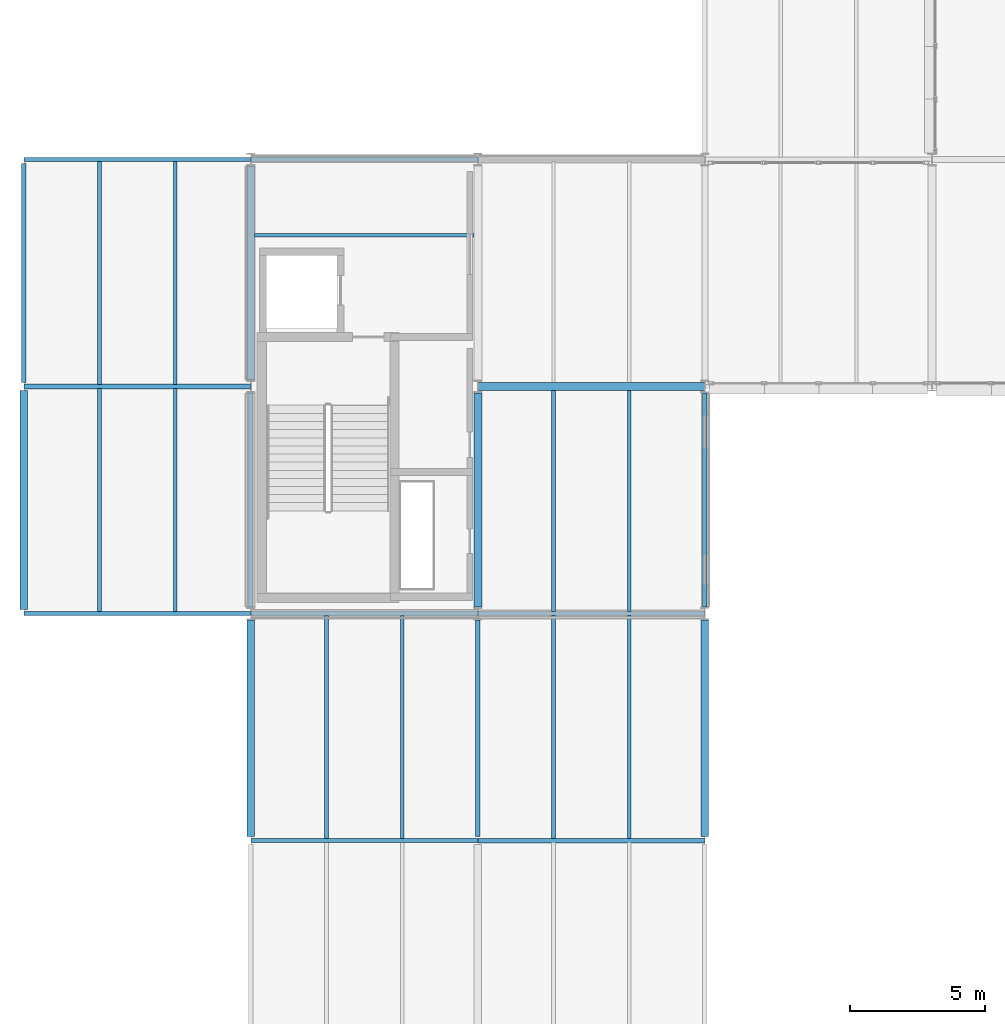
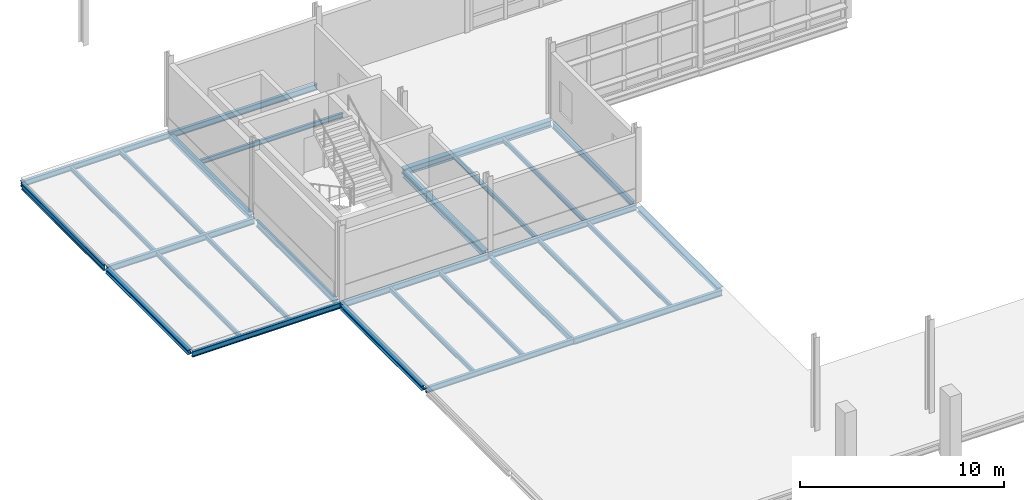
# One storey, part 36 of 129: 29 beams.
"""IFC4 building model written with IfcOpenShell, lengths in metres."""

from ifc_helpers import new_model, si_unit, direction, frame, origin, origin_2d, place, context, subcontext, project, spatial, i_section, extrude, material, material_profile, profile_set, type_object, element, save


model = new_model("IFC4")

# Units and contexts
model_context = context("Model", 3, precision=1e-05, world=origin(), true_north=direction((0.0, 1.0)))
body_context = subcontext(model_context, "Body", "Model", "MODEL_VIEW")
ifc_project = project(units=[si_unit("LENGTHUNIT", "METRE"), si_unit("AREAUNIT", "SQUARE_METRE"), si_unit("VOLUMEUNIT", "CUBIC_METRE"), si_unit("PLANEANGLEUNIT", "RADIAN"), si_unit("MASSUNIT", "GRAM", prefix="KILO")], contexts=[model_context])

# Site, building, storey
site_placement = place(None, origin())
site = spatial("IfcSite", under=ifc_project, at=site_placement, CompositionType="ELEMENT")
building_placement = place(site_placement, origin())
building = spatial("IfcBuilding", under=site, at=building_placement, Name="Mersafa Astral City Hall", CompositionType="ELEMENT")
storey_placement = place(building_placement, frame((0.0, 0.0, 5.39990234375)))
storey = spatial("IfcBuildingStorey", under=building, at=storey_placement, Name="L01", CompositionType="ELEMENT", Elevation=5.39990234375)

# Beams
ifc_material = material(Name="Steel S355", Category="steel")
ifc_material_profile_1 = material_profile(ifc_material, i_section(OverallWidth=0.300048828125, OverallDepth=0.35009765625, WebThickness=0.010009765625, FlangeThickness=0.017578125, FilletRadius=0.027099609375, at=origin_2d()), Name="HEA 360")
ifc_profile_set_1 = profile_set([ifc_material_profile_1], Name="Steel S355")
beam_type_1 = type_object("IfcBeamType", Name="STR-BM-HEA360", PredefinedType="BEAM", material=ifc_profile_set_1)
beam_1_placement = place(storey_placement, frame((16.800048828125, 75.844970703125, -0.39990234375), z_axis=(0.0, 1.0, 0.0), x_axis=(-1.0, 0.0, 0.0)))
element("IfcBeam", 1, at=beam_1_placement, inside=storey, type_object=beam_type_1, Name="L01 Primary girder Y 2-9", PredefinedType="BEAM", context=body_context, shape_type="SweptSolid", body=[
    extrude(i_section(OverallWidth=0.300048828125, OverallDepth=0.35009765625, WebThickness=0.010009765625, FlangeThickness=0.017578125, FilletRadius=0.027099609375, at=origin_2d()), origin(), (0.0, 0.0, 1.0), 7.909912109375),
])
ifc_material_profile_2 = material_profile(ifc_material, i_section(OverallWidth=0.300048828125, OverallDepth=0.389892578125, WebThickness=0.010986328125, FlangeThickness=0.01904296875, FilletRadius=0.027099609375, at=origin_2d()), Name="HEA 400")
ifc_profile_set_2 = profile_set([ifc_material_profile_2], Name="Steel S355")
beam_type_2 = type_object("IfcBeamType", Name="STR-BM-HEA400", PredefinedType="BEAM", material=ifc_profile_set_2)
beam_2_placement = place(storey_placement, frame((16.802978515625, 84.0, -0.419921875), z_axis=(1.0, 0.0, 0.0), x_axis=(0.0, 1.0, 0.0)))
element("IfcBeam", 2, at=beam_2_placement, inside=storey, type_object=beam_type_2, Name="L01 Primary girder X 2-10", PredefinedType="BEAM", context=body_context, shape_type="SweptSolid", body=[
    extrude(i_section(OverallWidth=0.300048828125, OverallDepth=0.389892578125, WebThickness=0.010986328125, FlangeThickness=0.01904296875, FilletRadius=0.027099609375, at=origin_2d()), origin(), (0.0, 0.0, 1.0), 8.39404296875),
])
ifc_material_profile_3 = material_profile(ifc_material, i_section(OverallWidth=0.135009765625, OverallDepth=0.27001953125, WebThickness=0.006591796875, FlangeThickness=0.01025390625, FilletRadius=0.014892578125, at=origin_2d()), Name="IPE 270")
ifc_profile_set_3 = profile_set([ifc_material_profile_3], Name="Steel S355")
beam_type_3 = type_object("IfcBeamType", Name="STR-BM-JOIST-IPE270", PredefinedType="JOIST", material=ifc_profile_set_3)
beam_3_placement = place(storey_placement, frame((8.534912109375, 89.60009765625, -0.35986328125), z_axis=(1.0, 0.0, 0.0), x_axis=(0.0, 1.0, 0.0)))
element("IfcBeam", 3, at=beam_3_placement, inside=storey, type_object=beam_type_3, Name="L01 Composite secondary floor joist 225", PredefinedType="JOIST", context=body_context, shape_type="SweptSolid", body=[
    extrude(i_section(OverallWidth=0.135009765625, OverallDepth=0.27001953125, WebThickness=0.006591796875, FlangeThickness=0.01025390625, FilletRadius=0.014892578125, at=origin_2d()), origin(), (0.0, 0.0, 1.0), 8.1201171875),
])
for number, where, z_axis, x_axis, name in (
    (4, (19.60009765625, 75.675048828125, -0.35986328125), (0.0, 1.0, 0.0), (-1.0, 0.0, 0.0), "L01 Composite secondary floor joist 226"),
    (5, (22.39990234375, 75.675048828125, -0.35986328125), (0.0, 1.0, 0.0), (-1.0, 0.0, 0.0), "L01 Composite secondary floor joist 227"),
):
    element("IfcBeam", number, at=place(storey_placement, frame(where, z_axis=z_axis, x_axis=x_axis)), inside=storey, type_object=beam_type_3, Name=name, PredefinedType="JOIST", context=body_context, shape_type="SweptSolid", body=[
        extrude(i_section(OverallWidth=0.135009765625, OverallDepth=0.27001953125, WebThickness=0.006591796875, FlangeThickness=0.01025390625, FilletRadius=0.014892578125, at=origin_2d()), origin(), (0.0, 0.0, 1.0), 8.179931640625),
    ])
for number, where, z_axis, x_axis, name in (
    (6, (2.800048828125, 75.675048828125, -0.35986328125), (0.0, 1.0, 0.0), (-1.0, 0.0, 0.0), "L01 Flat roof secondary joist 1"),
    (7, (5.60009765625, 75.675048828125, -0.35986328125), (0.0, 1.0, 0.0), (-1.0, 0.0, 0.0), "L01 Flat roof secondary joist 2"),
    (8, (2.800048828125, 84.080078125, -0.35986328125), (0.0, 1.0, 0.0), (-1.0, 0.0, 0.0), "L01 Flat roof secondary joist 3"),
    (9, (5.60009765625, 84.080078125, -0.35986328125), (0.0, 1.0, 0.0), (-1.0, 0.0, 0.0), "L01 Flat roof secondary joist 4"),
):
    element("IfcBeam", number, at=place(storey_placement, frame(where, z_axis=z_axis, x_axis=x_axis)), inside=storey, type_object=beam_type_3, Name=name, PredefinedType="JOIST", context=body_context, shape_type="SweptSolid", body=[
        extrude(i_section(OverallWidth=0.135009765625, OverallDepth=0.27001953125, WebThickness=0.006591796875, FlangeThickness=0.01025390625, FilletRadius=0.014892578125, at=origin_2d()), origin(), (0.0, 0.0, 1.0), 8.244873046875),
    ])
for number, where, z_axis, x_axis, name in (
    (10, (11.199951171875, 67.27490234375, -0.35986328125), (0.0, 1.0, 0.0), (-1.0, 0.0, 0.0), "L01 Flat roof secondary joist 9"),
    (11, (14.0, 67.27490234375, -0.35986328125), (0.0, 1.0, 0.0), (-1.0, 0.0, 0.0), "L01 Flat roof secondary joist 10"),
):
    element("IfcBeam", number, at=place(storey_placement, frame(where, z_axis=z_axis, x_axis=x_axis)), inside=storey, type_object=beam_type_3, Name=name, PredefinedType="JOIST", context=body_context, shape_type="SweptSolid", body=[
        extrude(i_section(OverallWidth=0.135009765625, OverallDepth=0.27001953125, WebThickness=0.006591796875, FlangeThickness=0.01025390625, FilletRadius=0.014892578125, at=origin_2d()), origin(), (0.0, 0.0, 1.0), 8.2451171875),
    ])
for number, where, z_axis, x_axis, name in (
    (12, (19.60009765625, 67.280029296875, -0.35986328125), (0.0, 1.0, 0.0), (-1.0, 0.0, 0.0), "L01 Flat roof secondary joist 15"),
    (13, (22.39990234375, 67.280029296875, -0.35986328125), (0.0, 1.0, 0.0), (-1.0, 0.0, 0.0), "L01 Flat roof secondary joist 16"),
):
    element("IfcBeam", number, at=place(storey_placement, frame(where, z_axis=z_axis, x_axis=x_axis)), inside=storey, type_object=beam_type_3, Name=name, PredefinedType="JOIST", context=body_context, shape_type="SweptSolid", body=[
        extrude(i_section(OverallWidth=0.135009765625, OverallDepth=0.27001953125, WebThickness=0.006591796875, FlangeThickness=0.01025390625, FilletRadius=0.014892578125, at=origin_2d()), origin(), (0.0, 0.0, 1.0), 8.244873046875),
    ])
ifc_material_profile_4 = material_profile(ifc_material, i_section(OverallWidth=0.280029296875, OverallDepth=0.27001953125, WebThickness=0.008056640625, FlangeThickness=0.012939453125, FilletRadius=0.02392578125, at=origin_2d()), Name="HEA 280")
ifc_profile_set_4 = profile_set([ifc_material_profile_4], Name="Steel S355")
beam_type_4 = type_object("IfcBeamType", Name="STR-BM-SPANDREL-HEA280", PredefinedType="SPANDREL", material=ifc_profile_set_4)
beam_4_placement = place(storey_placement, frame((0.0, 75.7451171875, -0.35986328125), z_axis=(0.0, 1.0, 0.0), x_axis=(-1.0, 0.0, 0.0)))
element("IfcBeam", 14, at=beam_4_placement, inside=storey, type_object=beam_type_4, Name="L01 Primary girder Y 0-9", PredefinedType="SPANDREL", context=body_context, shape_type="SweptSolid", body=[
    extrude(i_section(OverallWidth=0.280029296875, OverallDepth=0.27001953125, WebThickness=0.008056640625, FlangeThickness=0.012939453125, FilletRadius=0.02392578125, at=origin_2d()), origin(), (0.0, 0.0, 1.0), 8.10986328125),
])
beam_5_placement = place(storey_placement, frame((8.39990234375, 67.344970703125, -0.35986328125), z_axis=(0.0, 1.0, 0.0), x_axis=(-1.0, 0.0, 0.0)))
element("IfcBeam", 15, at=beam_5_placement, inside=storey, type_object=beam_type_4, Name="L01 Primary girder Y 1-8", PredefinedType="SPANDREL", context=body_context, shape_type="SweptSolid", body=[
    extrude(i_section(OverallWidth=0.280029296875, OverallDepth=0.27001953125, WebThickness=0.008056640625, FlangeThickness=0.012939453125, FilletRadius=0.02392578125, at=origin_2d()), origin(), (0.0, 0.0, 1.0), 8.010009765625),
])
beam_6_placement = place(storey_placement, frame((8.39990234375, 84.2451171875, -0.35986328125), z_axis=(0.0, 1.0, 0.0), x_axis=(-1.0, 0.0, 0.0)))
element("IfcBeam", 16, at=beam_6_placement, inside=storey, type_object=beam_type_4, Name="L01 Primary girder Y 1-10", PredefinedType="SPANDREL", context=body_context, shape_type="SweptSolid", body=[
    extrude(i_section(OverallWidth=0.280029296875, OverallDepth=0.27001953125, WebThickness=0.008056640625, FlangeThickness=0.012939453125, FilletRadius=0.02392578125, at=origin_2d()), origin(), (0.0, 0.0, 1.0), 7.909912109375),
])
beam_7_placement = place(storey_placement, frame((25.199951171875, 67.344970703125, -0.35986328125), z_axis=(0.0, 1.0, 0.0), x_axis=(-1.0, 0.0, 0.0)))
element("IfcBeam", 17, at=beam_7_placement, inside=storey, type_object=beam_type_4, Name="L01 Primary girder Y 3-8", PredefinedType="SPANDREL", context=body_context, shape_type="SweptSolid", body=[
    extrude(i_section(OverallWidth=0.280029296875, OverallDepth=0.27001953125, WebThickness=0.008056640625, FlangeThickness=0.012939453125, FilletRadius=0.02392578125, at=origin_2d()), origin(), (0.0, 0.0, 1.0), 8.010009765625),
])
ifc_material_profile_5 = material_profile(ifc_material, i_section(OverallWidth=0.159912109375, OverallDepth=0.330078125, WebThickness=0.007568359375, FlangeThickness=0.011474609375, FilletRadius=0.01806640625, at=origin_2d()), Name="IPE 330")
ifc_profile_set_5 = profile_set([ifc_material_profile_5], Name="Steel S355")
beam_type_5 = type_object("IfcBeamType", Name="STR-BM-SPANDREL-IPE330", PredefinedType="SPANDREL", material=ifc_profile_set_5)
for number, where, z_axis, x_axis, name in (
    (18, (8.403076171875, 67.199951171875, -0.389892578125), (1.0, 0.0, 0.0), (0.0, 1.0, 0.0), "L01 Primary girder X 1-8"),
    (19, (0.0029296875, 75.60009765625, -0.389892578125), (1.0, 0.0, 0.0), (0.0, 1.0, 0.0), "L01 Primary girder X 0-9"),
    (20, (16.802978515625, 75.60009765625, -0.389892578125), (1.0, 0.0, 0.0), (0.0, 1.0, 0.0), "L01 Primary girder X 2-9"),
    (21, (0.0029296875, 92.39990234375, -0.389892578125), (1.0, 0.0, 0.0), (0.0, 1.0, 0.0), "L01 Primary girder X 0-11"),
):
    element("IfcBeam", number, at=place(storey_placement, frame(where, z_axis=z_axis, x_axis=x_axis)), inside=storey, type_object=beam_type_5, Name=name, PredefinedType="SPANDREL", context=body_context, shape_type="SweptSolid", body=[
        extrude(i_section(OverallWidth=0.159912109375, OverallDepth=0.330078125, WebThickness=0.007568359375, FlangeThickness=0.011474609375, FilletRadius=0.01806640625, at=origin_2d()), origin(), (0.0, 0.0, 1.0), 8.39404296875),
    ])
ifc_material_profile_6 = material_profile(ifc_material, i_section(OverallWidth=0.169921875, OverallDepth=0.360107421875, WebThickness=0.008056640625, FlangeThickness=0.0126953125, FilletRadius=0.01806640625, at=origin_2d()), Name="IPE 360")
ifc_profile_set_6 = profile_set([ifc_material_profile_6], Name="Steel S355")
beam_type_6 = type_object("IfcBeamType", Name="STR-BM-SPANDREL-IPE360", PredefinedType="SPANDREL", material=ifc_profile_set_6)
for number, where, z_axis, x_axis, name in (
    (22, (16.802978515625, 67.199951171875, -0.40478515625), (1.0, 0.0, 0.0), (0.0, 1.0, 0.0), "L01 Primary girder X 2-8"),
    (23, (8.403076171875, 75.60009765625, -0.40478515625), (1.0, 0.0, 0.0), (0.0, 1.0, 0.0), "L01 Primary girder X 1-9"),
    (24, (0.0029296875, 84.0, -0.40478515625), (1.0, 0.0, 0.0), (0.0, 1.0, 0.0), "L01 Primary girder X 0-10"),
    (25, (8.403076171875, 92.39990234375, -0.40478515625), (1.0, 0.0, 0.0), (0.0, 1.0, 0.0), "L01 Primary girder X 1-11"),
):
    element("IfcBeam", number, at=place(storey_placement, frame(where, z_axis=z_axis, x_axis=x_axis)), inside=storey, type_object=beam_type_6, Name=name, PredefinedType="SPANDREL", context=body_context, shape_type="SweptSolid", body=[
        extrude(i_section(OverallWidth=0.169921875, OverallDepth=0.360107421875, WebThickness=0.008056640625, FlangeThickness=0.0126953125, FilletRadius=0.01806640625, at=origin_2d()), origin(), (0.0, 0.0, 1.0), 8.39404296875),
    ])
beam_8_placement = place(storey_placement, frame((0.0, 84.14501953125, -0.40478515625), z_axis=(0.0, 1.0, 0.0), x_axis=(-1.0, 0.0, 0.0)))
element("IfcBeam", 26, at=beam_8_placement, inside=storey, type_object=beam_type_6, Name="L01 Primary girder Y 0-10", PredefinedType="SPANDREL", context=body_context, shape_type="SweptSolid", body=[
    extrude(i_section(OverallWidth=0.169921875, OverallDepth=0.360107421875, WebThickness=0.008056640625, FlangeThickness=0.0126953125, FilletRadius=0.01806640625, at=origin_2d()), origin(), (0.0, 0.0, 1.0), 8.10986328125),
])
beam_9_placement = place(storey_placement, frame((8.39990234375, 75.844970703125, -0.40478515625), z_axis=(0.0, 1.0, 0.0), x_axis=(-1.0, 0.0, 0.0)))
element("IfcBeam", 27, at=beam_9_placement, inside=storey, type_object=beam_type_6, Name="L01 Primary girder Y 1-9", PredefinedType="SPANDREL", context=body_context, shape_type="SweptSolid", body=[
    extrude(i_section(OverallWidth=0.169921875, OverallDepth=0.360107421875, WebThickness=0.008056640625, FlangeThickness=0.0126953125, FilletRadius=0.01806640625, at=origin_2d()), origin(), (0.0, 0.0, 1.0), 7.909912109375),
])
beam_10_placement = place(storey_placement, frame((16.800048828125, 67.344970703125, -0.40478515625), z_axis=(0.0, 1.0, 0.0), x_axis=(-1.0, 0.0, 0.0)))
element("IfcBeam", 28, at=beam_10_placement, inside=storey, type_object=beam_type_6, Name="L01 Primary girder Y 2-8", PredefinedType="SPANDREL", context=body_context, shape_type="SweptSolid", body=[
    extrude(i_section(OverallWidth=0.169921875, OverallDepth=0.360107421875, WebThickness=0.008056640625, FlangeThickness=0.0126953125, FilletRadius=0.01806640625, at=origin_2d()), origin(), (0.0, 0.0, 1.0), 8.010009765625),
])
beam_11_placement = place(storey_placement, frame((25.199951171875, 75.844970703125, -0.40478515625), z_axis=(0.0, 1.0, 0.0), x_axis=(-1.0, 0.0, 0.0)))
element("IfcBeam", 29, at=beam_11_placement, inside=storey, type_object=beam_type_6, Name="L01 Primary girder Y 3-9", PredefinedType="SPANDREL", context=body_context, shape_type="SweptSolid", body=[
    extrude(i_section(OverallWidth=0.169921875, OverallDepth=0.360107421875, WebThickness=0.008056640625, FlangeThickness=0.0126953125, FilletRadius=0.01806640625, at=origin_2d()), origin(), (0.0, 0.0, 1.0), 7.909912109375),
])

save(model, "model.ifc")
